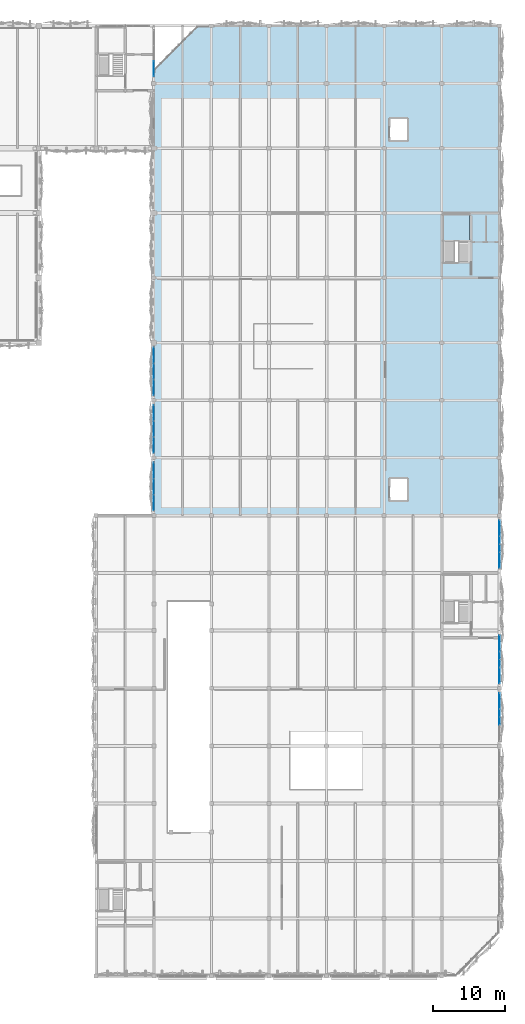
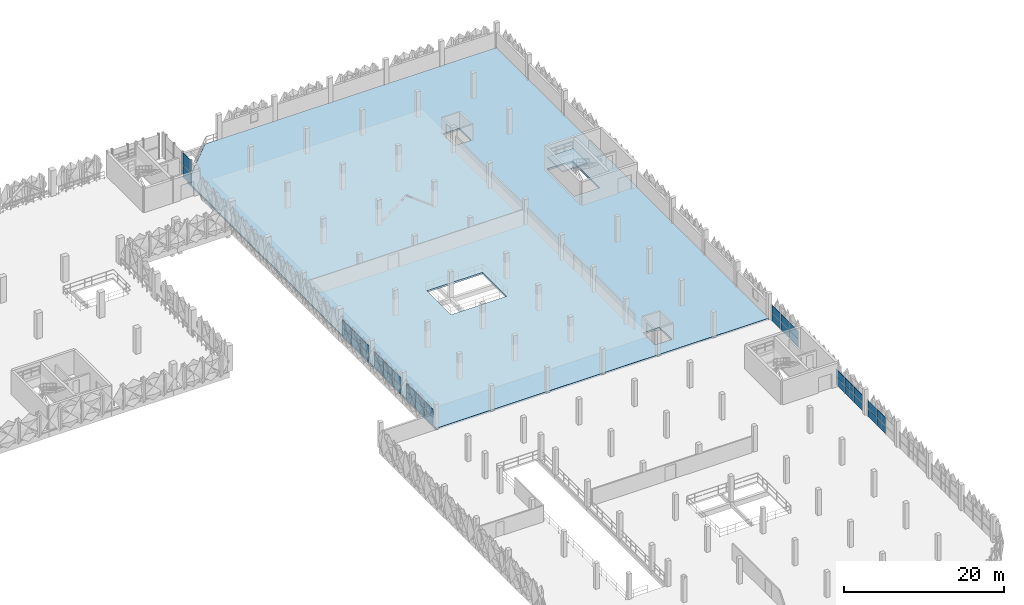
# One storey, part 32 of 83: 36 plates, 2 slabs, 8 elements without a shape of their own.
"""IFC4 building model written with IfcOpenShell, lengths in metres."""

from ifc_helpers import new_model, si_unit, derived_unit, direction, frame, origin, origin_2d, place, context, subcontext, project, spatial, polyline, rectangle, outline, extrude, material, layer, layer_set, type_object, element, aggregate, save


model = new_model("IFC4")

# Units and contexts
model_context = context("Model", 3, precision=1e-05, world=origin(), true_north=direction((0.0, 1.0)))
body_context = subcontext(model_context, "Body", "Model", "MODEL_VIEW")
ifc_project = project(units=[si_unit("LENGTHUNIT", "METRE"), si_unit("AREAUNIT", "SQUARE_METRE"), si_unit("VOLUMEUNIT", "CUBIC_METRE"), si_unit("PLANEANGLEUNIT", "RADIAN"), si_unit("MASSUNIT", "GRAM", prefix="KILO"), si_unit("THERMODYNAMICTEMPERATUREUNIT", "KELVIN"), derived_unit("THERMALTRANSMITTANCEUNIT", [(si_unit("POWERUNIT", "WATT"), 1), (si_unit("AREAUNIT", "SQUARE_METRE"), -1), (si_unit("THERMODYNAMICTEMPERATUREUNIT", "KELVIN"), -1)])], contexts=[model_context])

# Site, building, storey
site_placement = place(None, origin())
site = spatial("IfcSite", under=ifc_project, at=site_placement, CompositionType="ELEMENT")
building_placement = place(site_placement, origin())
building = spatial("IfcBuilding", under=site, at=building_placement, Name="Haiyu Intermodal Mobility Hub", CompositionType="ELEMENT")
storey_placement = place(building_placement, frame((0.0, 0.0, 13.39990234375)))
storey = spatial("IfcBuildingStorey", under=building, at=storey_placement, Name="L03", CompositionType="ELEMENT", Elevation=13.39990234375)

# Curtain wall, plates
ifc_material_1 = material(Name="Low-e laminated insulating glass", Category="glass")
ifc_layer_1 = layer(ifc_material_1, 0.2099609375)
ifc_layer_set_1 = layer_set([ifc_layer_1], Name="Low-e laminated insulating glass")
curtain_wall_type_1 = type_object("IfcCurtainWallType", Name="CW-CW04", PredefinedType="NOTDEFINED", material=ifc_layer_set_1)
curtain_wall_1_placement = place(storey_placement, origin())
curtain_wall_1 = element("IfcCurtainWall", 1, at=curtain_wall_1_placement, inside=storey, type_object=curtain_wall_type_1, Name="Curtain Wall CW-V6W-L03-149", PredefinedType="NOTDEFINED")
ifc_layer_2 = layer(ifc_material_1, 0.035888671875)
ifc_layer_set_2 = layer_set([ifc_layer_2], Name="Low-e laminated insulating glass")
plate_type_1 = type_object("IfcPlateType", Name="PLT-CP01", PredefinedType="CURTAIN_PANEL", material=ifc_layer_set_2)
plate_1_placement = place(storey_placement, frame((162.0, 86.22705078125, 0.03515625), z_axis=(0.0, 0.0, 1.0), x_axis=(0.0, -1.0, 0.0)))
plate_1 = element("IfcPlate", 2, at=plate_1_placement, type_object=plate_type_1, Name="CW-V6W-L03-149-PN01", PredefinedType="CURTAIN_PANEL", context=body_context, shape_type="SweptSolid", body=[
    extrude(rectangle(XDim=2.136962890625, YDim=0.035888671875, at=origin_2d()), origin(), (0.0, 0.0, 1.0), 1.169921875),
])
plate_2_placement = place(storey_placement, frame((162.0, 84.0, 0.03515625), z_axis=(0.0, 0.0, 1.0), x_axis=(0.0, -1.0, 0.0)))
plate_2 = element("IfcPlate", 3, at=plate_2_placement, type_object=plate_type_1, Name="CW-V6W-L03-149-PN03", PredefinedType="CURTAIN_PANEL", context=body_context, shape_type="SweptSolid", body=[
    extrude(rectangle(XDim=2.136962890625, YDim=0.035888671875, at=origin_2d()), origin(), (0.0, 0.0, 1.0), 1.169921875),
])
plate_3_placement = place(storey_placement, frame((162.0, 81.77294921875, 0.03515625), z_axis=(0.0, 0.0, 1.0), x_axis=(0.0, -1.0, 0.0)))
plate_3 = element("IfcPlate", 4, at=plate_3_placement, type_object=plate_type_1, Name="CW-V6W-L03-149-PN05", PredefinedType="CURTAIN_PANEL", context=body_context, shape_type="SweptSolid", body=[
    extrude(rectangle(XDim=2.136962890625, YDim=0.035888671875, at=origin_2d()), origin(), (0.0, 0.0, 1.0), 1.169921875),
])

curtain_wall_2_placement = place(storey_placement, origin())
curtain_wall_2 = element("IfcCurtainWall", 5, at=curtain_wall_2_placement, inside=storey, type_object=curtain_wall_type_1, Name="Curtain Wall CW-V6W-L03-150", PredefinedType="NOTDEFINED")
plate_4_placement = place(storey_placement, frame((162.0, 94.22705078125, 0.03515625), z_axis=(0.0, 0.0, 1.0), x_axis=(0.0, -1.0, 0.0)))
plate_4 = element("IfcPlate", 6, at=plate_4_placement, type_object=plate_type_1, Name="CW-V6W-L03-150-PN01", PredefinedType="CURTAIN_PANEL", context=body_context, shape_type="SweptSolid", body=[
    extrude(rectangle(XDim=2.136962890625, YDim=0.035888671875, at=origin_2d()), origin(), (0.0, 0.0, 1.0), 1.169921875),
])
plate_5_placement = place(storey_placement, frame((162.0, 92.0, 0.03515625), z_axis=(0.0, 0.0, 1.0), x_axis=(0.0, -1.0, 0.0)))
plate_5 = element("IfcPlate", 7, at=plate_5_placement, type_object=plate_type_1, Name="CW-V6W-L03-150-PN03", PredefinedType="CURTAIN_PANEL", context=body_context, shape_type="SweptSolid", body=[
    extrude(rectangle(XDim=2.136962890625, YDim=0.035888671875, at=origin_2d()), origin(), (0.0, 0.0, 1.0), 1.169921875),
])
plate_6_placement = place(storey_placement, frame((162.0, 89.77294921875, 0.03515625), z_axis=(0.0, 0.0, 1.0), x_axis=(0.0, -1.0, 0.0)))
plate_6 = element("IfcPlate", 8, at=plate_6_placement, type_object=plate_type_1, Name="CW-V6W-L03-150-PN05", PredefinedType="CURTAIN_PANEL", context=body_context, shape_type="SweptSolid", body=[
    extrude(rectangle(XDim=2.136962890625, YDim=0.035888671875, at=origin_2d()), origin(), (0.0, 0.0, 1.0), 1.169921875),
])

curtain_wall_3_placement = place(storey_placement, origin())
curtain_wall_3 = element("IfcCurtainWall", 9, at=curtain_wall_3_placement, inside=storey, type_object=curtain_wall_type_1, Name="Curtain Wall CW-V6W-L03-151", PredefinedType="NOTDEFINED")
plate_7_placement = place(storey_placement, frame((162.0, 102.22705078125, 0.03515625), z_axis=(0.0, 0.0, 1.0), x_axis=(0.0, -1.0, 0.0)))
plate_7 = element("IfcPlate", 10, at=plate_7_placement, type_object=plate_type_1, Name="CW-V6W-L03-151-PN01", PredefinedType="CURTAIN_PANEL", context=body_context, shape_type="SweptSolid", body=[
    extrude(rectangle(XDim=2.136962890625, YDim=0.035888671875, at=origin_2d()), origin(), (0.0, 0.0, 1.0), 1.169921875),
])
plate_8_placement = place(storey_placement, frame((162.0, 100.0, 0.03515625), z_axis=(0.0, 0.0, 1.0), x_axis=(0.0, -1.0, 0.0)))
plate_8 = element("IfcPlate", 11, at=plate_8_placement, type_object=plate_type_1, Name="CW-V6W-L03-151-PN03", PredefinedType="CURTAIN_PANEL", context=body_context, shape_type="SweptSolid", body=[
    extrude(rectangle(XDim=2.136962890625, YDim=0.035888671875, at=origin_2d()), origin(), (0.0, 0.0, 1.0), 1.169921875),
])
plate_9_placement = place(storey_placement, frame((162.0, 97.77294921875, 0.03515625), z_axis=(0.0, 0.0, 1.0), x_axis=(0.0, -1.0, 0.0)))
plate_9 = element("IfcPlate", 12, at=plate_9_placement, type_object=plate_type_1, Name="CW-V6W-L03-151-PN05", PredefinedType="CURTAIN_PANEL", context=body_context, shape_type="SweptSolid", body=[
    extrude(rectangle(XDim=2.136962890625, YDim=0.035888671875, at=origin_2d()), origin(), (0.0, 0.0, 1.0), 1.169921875),
])

curtain_wall_4_placement = place(storey_placement, origin())
curtain_wall_4 = element("IfcCurtainWall", 13, at=curtain_wall_4_placement, inside=storey, type_object=curtain_wall_type_1, Name="Curtain Wall CW-V5E-L03-126", PredefinedType="NOTDEFINED")
ifc_material_2 = material(Name="Anodised aluminium 6063-T6", Category="aluminium")
ifc_layer_3 = layer(ifc_material_2, 0.0419921875)
ifc_layer_set_3 = layer_set([ifc_layer_3], Name="Anodised aluminium 6063-T6")
plate_type_2 = type_object("IfcPlateType", Name="PLT-CP02", PredefinedType="CURTAIN_PANEL", material=ifc_layer_set_3)
plate_10_placement = place(storey_placement, frame((210.0, 52.0, 0.03515625), z_axis=(0.0, 0.0, 1.0), x_axis=(0.0, 1.0, 0.0)))
plate_10 = element("IfcPlate", 14, at=plate_10_placement, type_object=plate_type_2, Name="CW-V5E-L03-126-PN03", PredefinedType="CURTAIN_PANEL", context=body_context, shape_type="SweptSolid", body=[
    extrude(rectangle(XDim=2.136962890625, YDim=0.0419921875, at=origin_2d()), origin(), (0.0, 0.0, 1.0), 1.169921875),
])
plate_11_placement = place(storey_placement, frame((210.0, 54.22705078125, 0.03515625), z_axis=(0.0, 0.0, 1.0), x_axis=(0.0, 1.0, 0.0)))
plate_11 = element("IfcPlate", 15, at=plate_11_placement, type_object=plate_type_2, Name="CW-V5E-L03-126-PN05", PredefinedType="CURTAIN_PANEL", context=body_context, shape_type="SweptSolid", body=[
    extrude(rectangle(XDim=2.136962890625, YDim=0.0419921875, at=origin_2d()), origin(), (0.0, 0.0, 1.0), 1.169921875),
])

curtain_wall_5_placement = place(storey_placement, origin())
curtain_wall_5 = element("IfcCurtainWall", 16, at=curtain_wall_5_placement, inside=storey, type_object=curtain_wall_type_1, Name="Curtain Wall CW-V5E-L03-127", PredefinedType="NOTDEFINED")
plate_12_placement = place(storey_placement, frame((210.0, 57.77294921875, 0.03515625), z_axis=(0.0, 0.0, 1.0), x_axis=(0.0, 1.0, 0.0)))
plate_12 = element("IfcPlate", 17, at=plate_12_placement, type_object=plate_type_2, Name="CW-V5E-L03-127-PN01", PredefinedType="CURTAIN_PANEL", context=body_context, shape_type="SweptSolid", body=[
    extrude(rectangle(XDim=2.136962890625, YDim=0.0419921875, at=origin_2d()), origin(), (0.0, 0.0, 1.0), 1.169921875),
])
plate_13_placement = place(storey_placement, frame((210.0, 60.0, 0.03515625), z_axis=(0.0, 0.0, 1.0), x_axis=(0.0, 1.0, 0.0)))
plate_13 = element("IfcPlate", 18, at=plate_13_placement, type_object=plate_type_2, Name="CW-V5E-L03-127-PN03", PredefinedType="CURTAIN_PANEL", context=body_context, shape_type="SweptSolid", body=[
    extrude(rectangle(XDim=2.136962890625, YDim=0.0419921875, at=origin_2d()), origin(), (0.0, 0.0, 1.0), 1.169921875),
])
plate_14_placement = place(storey_placement, frame((210.0, 62.22705078125, 0.03515625), z_axis=(0.0, 0.0, 1.0), x_axis=(0.0, 1.0, 0.0)))
plate_14 = element("IfcPlate", 19, at=plate_14_placement, type_object=plate_type_2, Name="CW-V5E-L03-127-PN05", PredefinedType="CURTAIN_PANEL", context=body_context, shape_type="SweptSolid", body=[
    extrude(rectangle(XDim=2.136962890625, YDim=0.0419921875, at=origin_2d()), origin(), (0.0, 0.0, 1.0), 1.169921875),
])

curtain_wall_6_placement = place(storey_placement, origin())
curtain_wall_6 = element("IfcCurtainWall", 20, at=curtain_wall_6_placement, inside=storey, type_object=curtain_wall_type_1, Name="Curtain Wall CW-V5E-L03-128", PredefinedType="NOTDEFINED")
plate_15_placement = place(storey_placement, frame((210.0, 73.77294921875, 0.03515625), z_axis=(0.0, 0.0, 1.0), x_axis=(0.0, 1.0, 0.0)))
plate_15 = element("IfcPlate", 21, at=plate_15_placement, type_object=plate_type_2, Name="CW-V5E-L03-128-PN01", PredefinedType="CURTAIN_PANEL", context=body_context, shape_type="SweptSolid", body=[
    extrude(rectangle(XDim=2.136962890625, YDim=0.0419921875, at=origin_2d()), origin(), (0.0, 0.0, 1.0), 1.169921875),
])
plate_16_placement = place(storey_placement, frame((210.0, 76.0, 0.03515625), z_axis=(0.0, 0.0, 1.0), x_axis=(0.0, 1.0, 0.0)))
plate_16 = element("IfcPlate", 22, at=plate_16_placement, type_object=plate_type_2, Name="CW-V5E-L03-128-PN03", PredefinedType="CURTAIN_PANEL", context=body_context, shape_type="SweptSolid", body=[
    extrude(rectangle(XDim=2.136962890625, YDim=0.0419921875, at=origin_2d()), origin(), (0.0, 0.0, 1.0), 1.169921875),
])
plate_17_placement = place(storey_placement, frame((210.0, 78.22705078125, 0.03515625), z_axis=(0.0, 0.0, 1.0), x_axis=(0.0, 1.0, 0.0)))
plate_17 = element("IfcPlate", 23, at=plate_17_placement, type_object=plate_type_2, Name="CW-V5E-L03-128-PN05", PredefinedType="CURTAIN_PANEL", context=body_context, shape_type="SweptSolid", body=[
    extrude(rectangle(XDim=2.136962890625, YDim=0.0419921875, at=origin_2d()), origin(), (0.0, 0.0, 1.0), 1.169921875),
])

ifc_layer_4 = layer(ifc_material_1, 0.199951171875)
ifc_layer_set_4 = layer_set([ifc_layer_4], Name="Low-e laminated insulating glass")
curtain_wall_type_2 = type_object("IfcCurtainWallType", Name="CW-CW03", PredefinedType="NOTDEFINED", material=ifc_layer_set_4)
curtain_wall_7_placement = place(storey_placement, origin())
curtain_wall_7 = element("IfcCurtainWall", 24, at=curtain_wall_7_placement, inside=storey, type_object=curtain_wall_type_2, Name="Curtain Wall CW-C4S-L03-070", PredefinedType="NOTDEFINED")
ifc_layer_5 = layer(ifc_material_1, 0.0400390625)
ifc_layer_set_5 = layer_set([ifc_layer_5], Name="Low-e laminated insulating glass")
plate_type_3 = type_object("IfcPlateType", Name="PLT-CP03", PredefinedType="CURTAIN_PANEL", material=ifc_layer_set_5)
plate_18_placement = place(storey_placement, frame((162.0, 142.048095703125, 0.03515625), z_axis=(0.0, 0.0, 1.0), x_axis=(0.0, 1.0, 0.0)))
plate_18 = element("IfcPlate", 25, at=plate_18_placement, type_object=plate_type_3, Name="CW-C4S-L03-070-PN01", PredefinedType="CURTAIN_PANEL", context=body_context, shape_type="SweptSolid", body=[
    extrude(rectangle(XDim=2.027099609375, YDim=0.0400390625, at=origin_2d()), origin(), (0.0, 0.0, 1.0), 1.840087890625),
])
ifc_layer_6 = layer(ifc_material_1, 0.0439453125)
ifc_layer_set_6 = layer_set([ifc_layer_6], Name="Low-e laminated insulating glass")
plate_type_4 = type_object("IfcPlateType", Name="PLT-CP04", PredefinedType="CURTAIN_PANEL", material=ifc_layer_set_6)
plate_19_placement = place(storey_placement, frame((162.0, 142.048095703125, 1.94482421875), z_axis=(0.0, 0.0, 1.0), x_axis=(0.0, 1.0, 0.0)))
plate_19 = element("IfcPlate", 26, at=plate_19_placement, type_object=plate_type_4, Name="CW-C4S-L03-070-PN02", PredefinedType="CURTAIN_PANEL", context=body_context, shape_type="SweptSolid", body=[
    extrude(rectangle(XDim=2.027099609375, YDim=0.0439453125, at=origin_2d()), origin(), (0.0, 0.0, 1.0), 1.840087890625),
])
aggregate(curtain_wall_7, [plate_18, plate_19])

# Plate
plate_20_placement = place(storey_placement, frame((210.0, 52.0, 1.275146484375), z_axis=(0.0, 0.0, 1.0), x_axis=(0.0, 1.0, 0.0)))
plate_20 = element("IfcPlate", 27, at=plate_20_placement, type_object=plate_type_4, Name="CW-V5E-L03-126-PN04", PredefinedType="CURTAIN_PANEL", context=body_context, shape_type="SweptSolid", body=[
    extrude(rectangle(XDim=2.136962890625, YDim=0.0439453125, at=origin_2d()), origin(), (0.0, 0.0, 1.0), 1.169921875),
])

plate_21_placement = place(storey_placement, frame((210.0, 54.22705078125, 1.275146484375), z_axis=(0.0, 0.0, 1.0), x_axis=(0.0, 1.0, 0.0)))
plate_21 = element("IfcPlate", 28, at=plate_21_placement, type_object=plate_type_4, Name="CW-V5E-L03-126-PN06", PredefinedType="CURTAIN_PANEL", context=body_context, shape_type="SweptSolid", body=[
    extrude(rectangle(XDim=2.136962890625, YDim=0.0439453125, at=origin_2d()), origin(), (0.0, 0.0, 1.0), 1.169921875),
])

aggregate(curtain_wall_4, [plate_10, plate_20, plate_11, plate_21])

plate_22_placement = place(storey_placement, frame((210.0, 57.77294921875, 1.275146484375), z_axis=(0.0, 0.0, 1.0), x_axis=(0.0, 1.0, 0.0)))
plate_22 = element("IfcPlate", 29, at=plate_22_placement, type_object=plate_type_4, Name="CW-V5E-L03-127-PN02", PredefinedType="CURTAIN_PANEL", context=body_context, shape_type="SweptSolid", body=[
    extrude(rectangle(XDim=2.136962890625, YDim=0.0439453125, at=origin_2d()), origin(), (0.0, 0.0, 1.0), 1.169921875),
])

plate_23_placement = place(storey_placement, frame((210.0, 60.0, 1.275146484375), z_axis=(0.0, 0.0, 1.0), x_axis=(0.0, 1.0, 0.0)))
plate_23 = element("IfcPlate", 30, at=plate_23_placement, type_object=plate_type_4, Name="CW-V5E-L03-127-PN04", PredefinedType="CURTAIN_PANEL", context=body_context, shape_type="SweptSolid", body=[
    extrude(rectangle(XDim=2.136962890625, YDim=0.0439453125, at=origin_2d()), origin(), (0.0, 0.0, 1.0), 1.169921875),
])

plate_24_placement = place(storey_placement, frame((210.0, 62.22705078125, 1.275146484375), z_axis=(0.0, 0.0, 1.0), x_axis=(0.0, 1.0, 0.0)))
plate_24 = element("IfcPlate", 31, at=plate_24_placement, type_object=plate_type_4, Name="CW-V5E-L03-127-PN06", PredefinedType="CURTAIN_PANEL", context=body_context, shape_type="SweptSolid", body=[
    extrude(rectangle(XDim=2.136962890625, YDim=0.0439453125, at=origin_2d()), origin(), (0.0, 0.0, 1.0), 1.169921875),
])

aggregate(curtain_wall_5, [plate_12, plate_22, plate_13, plate_23, plate_14, plate_24])

plate_25_placement = place(storey_placement, frame((210.0, 73.77294921875, 1.275146484375), z_axis=(0.0, 0.0, 1.0), x_axis=(0.0, 1.0, 0.0)))
plate_25 = element("IfcPlate", 32, at=plate_25_placement, type_object=plate_type_4, Name="CW-V5E-L03-128-PN02", PredefinedType="CURTAIN_PANEL", context=body_context, shape_type="SweptSolid", body=[
    extrude(rectangle(XDim=2.136962890625, YDim=0.0439453125, at=origin_2d()), origin(), (0.0, 0.0, 1.0), 1.169921875),
])

plate_26_placement = place(storey_placement, frame((210.0, 76.0, 1.275146484375), z_axis=(0.0, 0.0, 1.0), x_axis=(0.0, 1.0, 0.0)))
plate_26 = element("IfcPlate", 33, at=plate_26_placement, type_object=plate_type_4, Name="CW-V5E-L03-128-PN04", PredefinedType="CURTAIN_PANEL", context=body_context, shape_type="SweptSolid", body=[
    extrude(rectangle(XDim=2.136962890625, YDim=0.0439453125, at=origin_2d()), origin(), (0.0, 0.0, 1.0), 1.169921875),
])

plate_27_placement = place(storey_placement, frame((210.0, 78.22705078125, 1.275146484375), z_axis=(0.0, 0.0, 1.0), x_axis=(0.0, 1.0, 0.0)))
plate_27 = element("IfcPlate", 34, at=plate_27_placement, type_object=plate_type_4, Name="CW-V5E-L03-128-PN06", PredefinedType="CURTAIN_PANEL", context=body_context, shape_type="SweptSolid", body=[
    extrude(rectangle(XDim=2.136962890625, YDim=0.0439453125, at=origin_2d()), origin(), (0.0, 0.0, 1.0), 1.169921875),
])

aggregate(curtain_wall_6, [plate_15, plate_25, plate_16, plate_26, plate_17, plate_27])

plate_28_placement = place(storey_placement, frame((162.0, 86.22705078125, 1.275146484375), z_axis=(0.0, 0.0, 1.0), x_axis=(0.0, -1.0, 0.0)))
plate_28 = element("IfcPlate", 35, at=plate_28_placement, type_object=plate_type_4, Name="CW-V6W-L03-149-PN02", PredefinedType="CURTAIN_PANEL", context=body_context, shape_type="SweptSolid", body=[
    extrude(rectangle(XDim=2.136962890625, YDim=0.0439453125, at=origin_2d()), origin(), (0.0, 0.0, 1.0), 1.169921875),
])

plate_29_placement = place(storey_placement, frame((162.0, 84.0, 1.275146484375), z_axis=(0.0, 0.0, 1.0), x_axis=(0.0, -1.0, 0.0)))
plate_29 = element("IfcPlate", 36, at=plate_29_placement, type_object=plate_type_4, Name="CW-V6W-L03-149-PN04", PredefinedType="CURTAIN_PANEL", context=body_context, shape_type="SweptSolid", body=[
    extrude(rectangle(XDim=2.136962890625, YDim=0.0439453125, at=origin_2d()), origin(), (0.0, 0.0, 1.0), 1.169921875),
])

plate_30_placement = place(storey_placement, frame((162.0, 81.77294921875, 1.275146484375), z_axis=(0.0, 0.0, 1.0), x_axis=(0.0, -1.0, 0.0)))
plate_30 = element("IfcPlate", 37, at=plate_30_placement, type_object=plate_type_4, Name="CW-V6W-L03-149-PN06", PredefinedType="CURTAIN_PANEL", context=body_context, shape_type="SweptSolid", body=[
    extrude(rectangle(XDim=2.136962890625, YDim=0.0439453125, at=origin_2d()), origin(), (0.0, 0.0, 1.0), 1.169921875),
])

aggregate(curtain_wall_1, [plate_1, plate_28, plate_2, plate_29, plate_3, plate_30])

plate_31_placement = place(storey_placement, frame((162.0, 94.22705078125, 1.275146484375), z_axis=(0.0, 0.0, 1.0), x_axis=(0.0, -1.0, 0.0)))
plate_31 = element("IfcPlate", 38, at=plate_31_placement, type_object=plate_type_4, Name="CW-V6W-L03-150-PN02", PredefinedType="CURTAIN_PANEL", context=body_context, shape_type="SweptSolid", body=[
    extrude(rectangle(XDim=2.136962890625, YDim=0.0439453125, at=origin_2d()), origin(), (0.0, 0.0, 1.0), 1.169921875),
])

plate_32_placement = place(storey_placement, frame((162.0, 92.0, 1.275146484375), z_axis=(0.0, 0.0, 1.0), x_axis=(0.0, -1.0, 0.0)))
plate_32 = element("IfcPlate", 39, at=plate_32_placement, type_object=plate_type_4, Name="CW-V6W-L03-150-PN04", PredefinedType="CURTAIN_PANEL", context=body_context, shape_type="SweptSolid", body=[
    extrude(rectangle(XDim=2.136962890625, YDim=0.0439453125, at=origin_2d()), origin(), (0.0, 0.0, 1.0), 1.169921875),
])

plate_33_placement = place(storey_placement, frame((162.0, 89.77294921875, 1.275146484375), z_axis=(0.0, 0.0, 1.0), x_axis=(0.0, -1.0, 0.0)))
plate_33 = element("IfcPlate", 40, at=plate_33_placement, type_object=plate_type_4, Name="CW-V6W-L03-150-PN06", PredefinedType="CURTAIN_PANEL", context=body_context, shape_type="SweptSolid", body=[
    extrude(rectangle(XDim=2.136962890625, YDim=0.0439453125, at=origin_2d()), origin(), (0.0, 0.0, 1.0), 1.169921875),
])

aggregate(curtain_wall_2, [plate_4, plate_31, plate_5, plate_32, plate_6, plate_33])

plate_34_placement = place(storey_placement, frame((162.0, 102.22705078125, 1.275146484375), z_axis=(0.0, 0.0, 1.0), x_axis=(0.0, -1.0, 0.0)))
plate_34 = element("IfcPlate", 41, at=plate_34_placement, type_object=plate_type_4, Name="CW-V6W-L03-151-PN02", PredefinedType="CURTAIN_PANEL", context=body_context, shape_type="SweptSolid", body=[
    extrude(rectangle(XDim=2.136962890625, YDim=0.0439453125, at=origin_2d()), origin(), (0.0, 0.0, 1.0), 1.169921875),
])

plate_35_placement = place(storey_placement, frame((162.0, 100.0, 1.275146484375), z_axis=(0.0, 0.0, 1.0), x_axis=(0.0, -1.0, 0.0)))
plate_35 = element("IfcPlate", 42, at=plate_35_placement, type_object=plate_type_4, Name="CW-V6W-L03-151-PN04", PredefinedType="CURTAIN_PANEL", context=body_context, shape_type="SweptSolid", body=[
    extrude(rectangle(XDim=2.136962890625, YDim=0.0439453125, at=origin_2d()), origin(), (0.0, 0.0, 1.0), 1.169921875),
])

plate_36_placement = place(storey_placement, frame((162.0, 97.77294921875, 1.275146484375), z_axis=(0.0, 0.0, 1.0), x_axis=(0.0, -1.0, 0.0)))
plate_36 = element("IfcPlate", 43, at=plate_36_placement, type_object=plate_type_4, Name="CW-V6W-L03-151-PN06", PredefinedType="CURTAIN_PANEL", context=body_context, shape_type="SweptSolid", body=[
    extrude(rectangle(XDim=2.136962890625, YDim=0.0439453125, at=origin_2d()), origin(), (0.0, 0.0, 1.0), 1.169921875),
])

aggregate(curtain_wall_3, [plate_7, plate_34, plate_8, plate_35, plate_9, plate_36])

# Slab
ifc_material_3 = material(Name="Concrete C40", Category="concrete")
ifc_layer_7 = layer(ifc_material_3, 0.199951171875)
ifc_layer_set_7 = layer_set([ifc_layer_7], Name="Concrete C40")
slab_type_1 = type_object("IfcSlabType", Name="SLB-SL07", PredefinedType="FLOOR", material=ifc_layer_set_7)
slab_1_placement = place(storey_placement, frame((0.0, 0.0, -0.260009765625)))
element("IfcSlab", 44, at=slab_1_placement, inside=storey, type_object=slab_type_1, Name="L03 Service & Dispatch Wing Slab", PredefinedType="FLOOR", context=body_context, shape_type="SweptSolid", body=[
    extrude(outline(polyline([(162.02001953125, 80.02001953125), (210.0, 80.02001953125), (210.0, 148.0), (168.0, 148.0), (162.02001953125, 142.0), (162.02001953125, 80.02001953125)]), holes=[polyline([(202.219970703125, 115.14990234375), (205.85009765625, 115.14990234375), (205.85009765625, 121.949951171875), (202.219970703125, 121.949951171875), (202.219970703125, 115.14990234375)]), polyline([(194.81494140625, 82.114990234375), (197.18505859375, 82.114990234375), (197.18505859375, 85.0849609375), (194.81494140625, 85.0849609375), (194.81494140625, 82.114990234375)]), polyline([(194.81494140625, 132.114990234375), (197.18505859375, 132.114990234375), (197.18505859375, 135.0849609375), (194.81494140625, 135.0849609375), (194.81494140625, 132.114990234375)]), polyline([(176.0, 100.5), (184.0, 100.5), (184.0, 106.5), (176.0, 106.5), (176.0, 100.5)])]), origin(), (0.0, 0.0, 1.0), 0.260009765625),
])

# Stair, slab
stair_type = type_object("IfcStairType", Name="STR-ST02", PredefinedType="HALF_TURN_STAIR", material=ifc_material_3)
stair_placement = place(storey_placement, origin())
stair = element("IfcStair", 45, at=stair_placement, inside=storey, type_object=stair_type, Name="Exit Stair ST03 L03", PredefinedType="HALF_TURN_STAIR")
ifc_layer_8 = layer(ifc_material_3, 0.2099609375)
ifc_layer_set_8 = layer_set([ifc_layer_8], Name="Concrete C40")
slab_type_2 = type_object("IfcSlabType", Name="SLB-SL13", PredefinedType="LANDING", material=ifc_layer_set_8)
slab_2_placement = place(storey_placement, frame((0.0, 0.0, 1.739990234375)))
slab_2 = element("IfcSlab", 46, at=slab_2_placement, type_object=slab_type_2, Name="Stair Half-Landing STR-C10-L03-LND", PredefinedType="LANDING", context=body_context, shape_type="SweptSolid", body=[
    extrude(outline(polyline([(202.219970703125, 118.1298828125), (205.8701171875, 118.1298828125), (205.8701171875, 121.780029296875), (202.219970703125, 121.780029296875), (202.219970703125, 118.1298828125)])), origin(), (0.0, 0.0, 1.0), 0.210205078125),
])
aggregate(stair, [slab_2])

save(model, "model.ifc")
